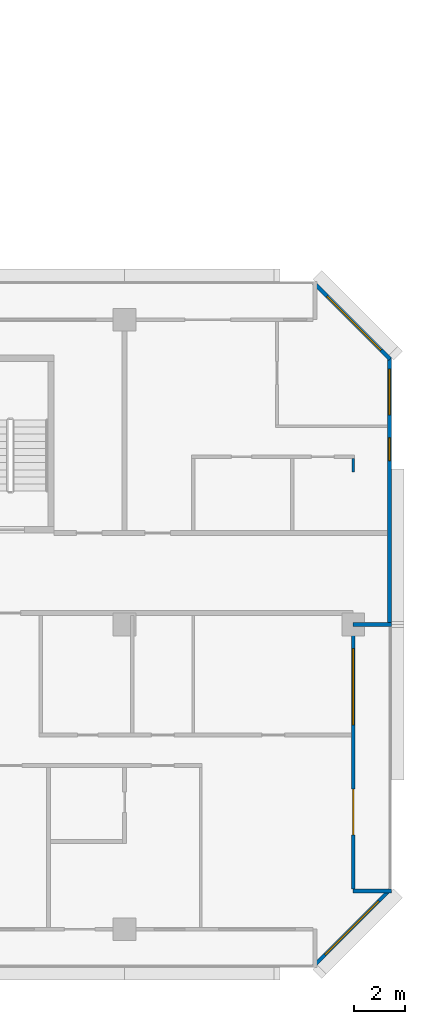
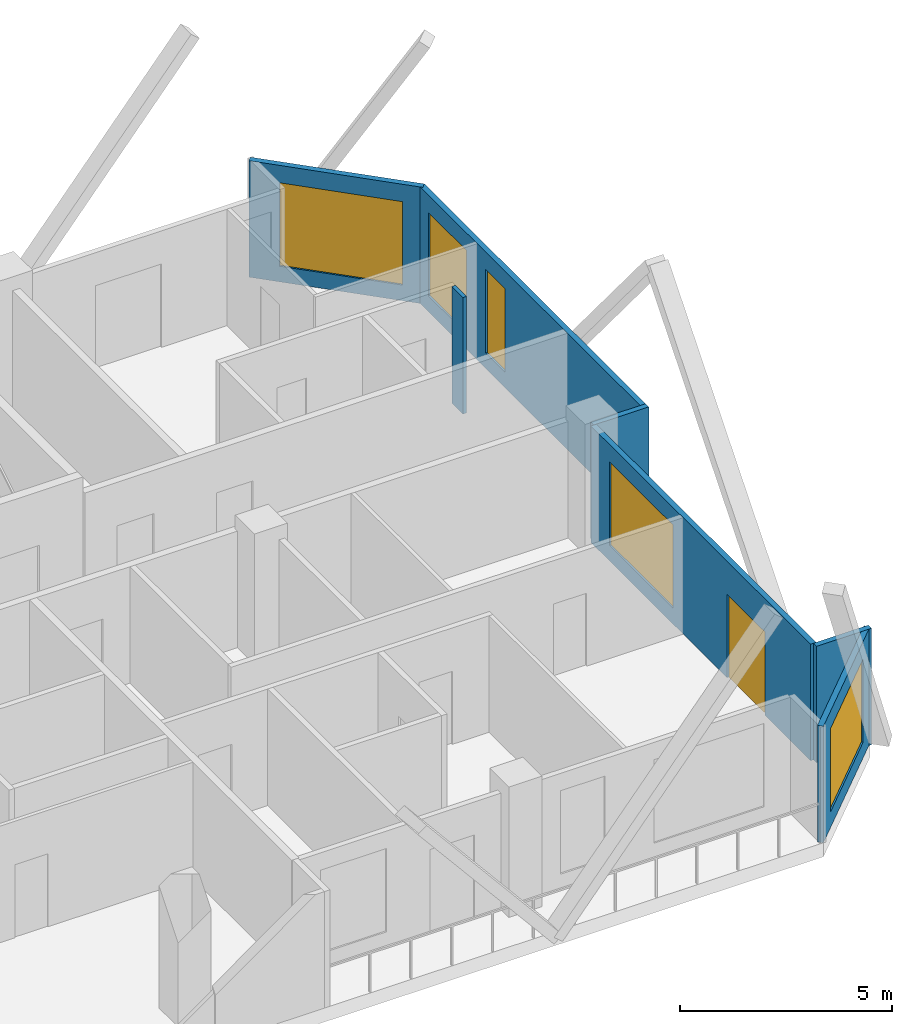
# One storey, part 12 of 15: 7 walls, 5 windows, 1 door, 6 openings.
"""IFC4 building model written with IfcOpenShell, lengths in metres."""

from ifc_helpers import new_model, si_unit, direction, frame, frame_2d, origin, place, context, subcontext, project, spatial, rectangle, extrude, material, layer, layer_set, type_object, element, fill, save


model = new_model("IFC4")

# Units and contexts
model_context = context("Model", 3, precision=1e-05, world=origin(), true_north=direction((0.0, 1.0)))
body_context = subcontext(model_context, "Body", "Model", "MODEL_VIEW")
ifc_project = project(units=[si_unit("LENGTHUNIT", "METRE"), si_unit("AREAUNIT", "SQUARE_METRE"), si_unit("VOLUMEUNIT", "CUBIC_METRE"), si_unit("PLANEANGLEUNIT", "RADIAN"), si_unit("MASSUNIT", "GRAM", prefix="KILO")], contexts=[model_context])

# Site, building, storey
site_placement = place(None, origin())
site = spatial("IfcSite", under=ifc_project, at=site_placement, CompositionType="ELEMENT")
building_placement = place(site_placement, origin())
building = spatial("IfcBuilding", under=site, at=building_placement, Name="Chenar Terraces", CompositionType="ELEMENT")
storey_placement = place(building_placement, frame((0.0, 0.0, 172.39990234375)))
storey = spatial("IfcBuildingStorey", under=building, at=storey_placement, Name="L39", CompositionType="ELEMENT", Elevation=172.39990234375)

# Wall, openings, windows
ifc_material_1 = material(Name="Aluminium framed glazing", Category="aluminium")
ifc_layer_1 = layer(ifc_material_1, 0.14990234375)
ifc_layer_set_1 = layer_set([ifc_layer_1], Name="Aluminium framed glazing")
wall_type_1 = type_object("IfcWallType", Name="Glazed flush facade wall 150", PredefinedType="SOLIDWALL", material=ifc_layer_set_1)
wall_1_placement = place(storey_placement, frame((64.425048828125, 12.074951171875, 0.0), z_axis=(0.0, 0.0, 1.0), x_axis=(0.0, 1.0, 0.0)))
wall_1 = element("IfcWall", 1, at=wall_1_placement, inside=storey, type_object=wall_type_1, Name="Glazed flush facade wall", PredefinedType="SOLIDWALL", context=body_context, shape_type="SweptSolid", body=[
    extrude(rectangle(XDim=10.425048828125, YDim=0.14990234375, at=frame_2d((5.21240234375, 0.0))), origin(), (0.0, 0.0, 1.0), 3.35009765625),
])
opening_1_placement = place(wall_1_placement, frame((6.375, 0.0, 0.449951171875)))
opening_1 = element("IfcOpeningElement", 2, at=opening_1_placement, cuts=wall_1, Name="Opening W90x240", PredefinedType="OPENING", context=body_context, shape_type="SweptSolid", body=[
    extrude(rectangle(XDim=0.89990234375, YDim=2.39990234375, at=frame_2d((0.449951171875, 1.199951171875))), frame((0.0, 0.0849609375, 0.0), z_axis=(0.0, -1.0, 0.0), x_axis=(1.0, 0.0, 0.0)), (0.0, 0.0, 1.0), 0.169921875),
])
opening_2_placement = place(wall_1_placement, frame((8.175048828125, 0.0, 0.449951171875)))
opening_2 = element("IfcOpeningElement", 3, at=opening_2_placement, cuts=wall_1, Name="Opening W180x240", PredefinedType="OPENING", context=body_context, shape_type="SweptSolid", body=[
    extrude(rectangle(XDim=1.800048828125, YDim=2.39990234375, at=frame_2d((0.89990234375, 1.199951171875))), frame((0.0, 0.0849609375, 0.0), z_axis=(0.0, -1.0, 0.0), x_axis=(1.0, 0.0, 0.0)), (0.0, 0.0, 1.0), 0.169921875),
])
ifc_material_2 = material(Name="Low emissivity double glazing, aluminium frame", Category="aluminium")
window_type_1 = type_object("IfcWindowType", Name="Fixed light 1800 x 2400", PartitioningType="SINGLE_PANEL", PredefinedType="WINDOW", material=ifc_material_2)
window_1_placement = place(opening_2_placement, origin())
window_1 = element("IfcWindow", 4, at=window_1_placement, inside=storey, type_object=window_type_1, Name="Window", OverallHeight=2.39990234375, OverallWidth=1.800048828125, PartitioningType="SINGLE_PANEL", PredefinedType="WINDOW", context=body_context, shape_type="SweptSolid", body=[
    extrude(rectangle(XDim=1.800048828125, YDim=2.39990234375, at=frame_2d((0.89990234375, 1.199951171875))), frame((0.0, 0.030029296875, 0.0), z_axis=(0.0, -1.0, 0.0), x_axis=(1.0, 0.0, 0.0)), (0.0, 0.0, 1.0), 0.06005859375),
])
fill(opening_2, window_1)
ifc_material_3 = material(Name="Low emissivity double glazing, aluminium frame", Category="aluminium")
window_type_2 = type_object("IfcWindowType", Name="Fixed light 900 x 2400", PartitioningType="SINGLE_PANEL", PredefinedType="WINDOW", material=ifc_material_3)
window_2_placement = place(opening_1_placement, origin())
window_2 = element("IfcWindow", 5, at=window_2_placement, inside=storey, type_object=window_type_2, Name="Window", OverallHeight=2.39990234375, OverallWidth=0.89990234375, PartitioningType="SINGLE_PANEL", PredefinedType="WINDOW", context=body_context, shape_type="SweptSolid", body=[
    extrude(rectangle(XDim=0.89990234375, YDim=2.39990234375, at=frame_2d((0.449951171875, 1.199951171875))), frame((0.0, 0.030029296875, 0.0), z_axis=(0.0, -1.0, 0.0), x_axis=(1.0, 0.0, 0.0)), (0.0, 0.0, 1.0), 0.06005859375),
])
fill(opening_1, window_2)

# Wall, openings, window, door
ifc_material_4 = material(Name="Aluminium framed glazing", Category="aluminium")
ifc_layer_2 = layer(ifc_material_4, 0.14990234375)
ifc_layer_set_2 = layer_set([ifc_layer_2], Name="Aluminium framed glazing")
wall_type_2 = type_object("IfcWallType", Name="Glazed loggia back wall 150", PredefinedType="SOLIDWALL", material=ifc_layer_set_2)
wall_2_placement = place(storey_placement, frame((63.0, 1.574951171875, 0.0), z_axis=(0.0, 0.0, 1.0), x_axis=(0.0, 1.0, 0.0)))
wall_2 = element("IfcWall", 6, at=wall_2_placement, inside=storey, type_object=wall_type_2, Name="Glazed loggia back wall", PredefinedType="SOLIDWALL", context=body_context, shape_type="SweptSolid", body=[
    extrude(rectangle(XDim=10.35009765625, YDim=0.14990234375, at=frame_2d((5.175048828125, 0.0))), origin(), (0.0, 0.0, 1.0), 3.35009765625),
])
opening_3_placement = place(wall_2_placement, frame((2.137451171875, 0.0, 0.0)))
opening_3 = element("IfcOpeningElement", 7, at=opening_3_placement, cuts=wall_2, Name="Opening DL39-G8", PredefinedType="OPENING", context=body_context, shape_type="SweptSolid", body=[
    extrude(rectangle(XDim=1.800048828125, YDim=2.39990234375, at=frame_2d((0.89990234375, 1.199951171875))), frame((0.0, 0.0849609375, 0.0), z_axis=(0.0, -1.0, 0.0), x_axis=(1.0, 0.0, 0.0)), (0.0, 0.0, 1.0), 0.169921875),
])
opening_4_placement = place(wall_2_placement, frame((6.47509765625, 0.0, 0.449951171875)))
opening_4 = element("IfcOpeningElement", 8, at=opening_4_placement, cuts=wall_2, Name="Opening W300x240", PredefinedType="OPENING", context=body_context, shape_type="SweptSolid", body=[
    extrude(rectangle(XDim=3.0, YDim=2.39990234375, at=frame_2d((1.5, 1.199951171875))), frame((0.0, 0.0849609375, 0.0), z_axis=(0.0, -1.0, 0.0), x_axis=(1.0, 0.0, 0.0)), (0.0, 0.0, 1.0), 0.169921875),
])
ifc_material_5 = material(Name="Low emissivity double glazing, aluminium frame", Category="aluminium")
window_type_3 = type_object("IfcWindowType", Name="Fixed light 3000 x 2400", PartitioningType="SINGLE_PANEL", PredefinedType="WINDOW", material=ifc_material_5)
window_3_placement = place(opening_4_placement, origin())
window_3 = element("IfcWindow", 9, at=window_3_placement, inside=storey, type_object=window_type_3, Name="Window", OverallHeight=2.39990234375, OverallWidth=3.0, PartitioningType="SINGLE_PANEL", PredefinedType="WINDOW", context=body_context, shape_type="SweptSolid", body=[
    extrude(rectangle(XDim=3.0, YDim=2.39990234375, at=frame_2d((1.5, 1.199951171875))), frame((0.0, 0.030029296875, 0.0), z_axis=(0.0, -1.0, 0.0), x_axis=(1.0, 0.0, 0.0)), (0.0, 0.0, 1.0), 0.06005859375),
])
fill(opening_4, window_3)
ifc_material_6 = material(Name="Low emissivity double glazing, aluminium frame", Category="aluminium")
door_type = type_object("IfcDoorType", Name="Loggia glazed double door 1800 x 2400", OperationType="DOUBLE_DOOR_SINGLE_SWING", PredefinedType="DOOR", material=ifc_material_6)
door_placement = place(opening_3_placement, frame((1.800048828125, 0.0, 0.0), z_axis=(0.0, 0.0, 1.0), x_axis=(-1.0, 0.0, 0.0)))
door = element("IfcDoor", 10, at=door_placement, inside=storey, type_object=door_type, Name="Loggia glazed door", OperationType="DOUBLE_DOOR_SINGLE_SWING", OverallHeight=2.39990234375, OverallWidth=1.800048828125, PredefinedType="DOOR", context=body_context, shape_type="SweptSolid", body=[
    extrude(rectangle(XDim=1.800048828125, YDim=2.39990234375, at=frame_2d((0.89990234375, 1.199951171875))), frame((0.0, 0.02490234375, 0.0), z_axis=(0.0, -1.0, 0.0), x_axis=(1.0, 0.0, 0.0)), (0.0, 0.0, 1.0), 0.050048828125),
])
fill(opening_3, door)

# Walls
ifc_material_7 = material(Name="Gypsum board on steel studs", Category="steel")
ifc_layer_3 = layer(ifc_material_7, 0.10009765625)
ifc_layer_set_3 = layer_set([ifc_layer_3], Name="Gypsum board on steel studs")
wall_type_3 = type_object("IfcWallType", Name="Gypsum partition 100", PredefinedType="PARTITIONING", material=ifc_layer_set_3)
wall_3_placement = place(storey_placement, frame((63.0, 18.0, 0.0), z_axis=(0.0, 0.0, 1.0), x_axis=(0.0, 1.0, 0.0)))
element("IfcWall", 11, at=wall_3_placement, inside=storey, type_object=wall_type_3, Name="Partition L39-088", PredefinedType="PARTITIONING", context=body_context, shape_type="SweptSolid", body=[
    extrude(rectangle(XDim=0.52490234375, YDim=0.10009765625, at=frame_2d((0.262451171875, 0.0))), origin(), (0.0, 0.0, 1.0), 3.35009765625),
])
ifc_material_8 = material(Name="Terracotta cladding on insulated backing", Category="masonry")
ifc_layer_4 = layer(ifc_material_8, 0.14990234375)
ifc_layer_set_4 = layer_set([ifc_layer_4], Name="Terracotta cladding on insulated backing")
wall_type_4 = type_object("IfcWallType", Name="Loggia return wall 150", PredefinedType="SOLIDWALL", material=ifc_layer_set_4)
for number, where, z_axis, x_axis, name in (
    (12, (64.5, 1.5, 0.0), (0.0, 0.0, 1.0), (-1.0, 0.0, 0.0), "Loggia return wall"),
    (13, (64.5, 12.0, 0.0), (0.0, 0.0, 1.0), (-1.0, 0.0, 0.0), "Loggia return wall"),
):
    element("IfcWall", number, at=place(storey_placement, frame(where, z_axis=z_axis, x_axis=x_axis)), inside=storey, type_object=wall_type_4, Name=name, PredefinedType="SOLIDWALL", context=body_context, shape_type="SweptSolid", body=[
        extrude(rectangle(XDim=1.5, YDim=0.14990234375, at=frame_2d((0.75, 0.0))), origin(), (0.0, 0.0, 1.0), 3.35009765625),
    ])

# Wall, opening, window
ifc_material_9 = material(Name="Terracotta cladding on insulated backing", Category="masonry")
ifc_layer_5 = layer(ifc_material_9, 0.14990234375)
ifc_layer_set_5 = layer_set([ifc_layer_5], Name="Terracotta cladding on insulated backing")
wall_type_5 = type_object("IfcWallType", Name="Terracotta rainscreen wall 150", PredefinedType="SOLIDWALL", material=ifc_layer_set_5)
wall_4_placement = place(storey_placement, frame((61.447021484375, -1.447021484375, 0.0), z_axis=(0.0, 0.0, 1.0), x_axis=(0.707106781187, 0.707106781187, 0.0)))
wall_4 = element("IfcWall", 14, at=wall_4_placement, inside=storey, type_object=wall_type_5, Name="Terracotta rainscreen wall", PredefinedType="SOLIDWALL", context=body_context, shape_type="SweptSolid", body=[
    extrude(rectangle(XDim=4.24267578125, YDim=0.14990234375, at=frame_2d((2.121337890625, 0.0))), origin(), (0.0, 0.0, 1.0), 3.35009765625),
])
opening_5_placement = place(wall_4_placement, frame((0.621337890625, 0.0, 0.449951171875)))
opening_5 = element("IfcOpeningElement", 15, at=opening_5_placement, cuts=wall_4, Name="Opening W300x240", PredefinedType="OPENING", context=body_context, shape_type="SweptSolid", body=[
    extrude(rectangle(XDim=3.0, YDim=2.39990234375, at=frame_2d((1.5, 1.199951171875))), frame((0.0, 0.0849609375, 0.0), z_axis=(0.0, -1.0, 0.0), x_axis=(1.0, 0.0, 0.0)), (0.0, 0.0, 1.0), 0.169921875),
])
window_4_placement = place(opening_5_placement, origin())
window_4 = element("IfcWindow", 16, at=window_4_placement, inside=storey, type_object=window_type_3, Name="Window", OverallHeight=2.39990234375, OverallWidth=3.0, PartitioningType="SINGLE_PANEL", PredefinedType="WINDOW", context=body_context, shape_type="SweptSolid", body=[
    extrude(rectangle(XDim=3.0, YDim=2.39990234375, at=frame_2d((1.5, 1.199951171875))), frame((0.0, 0.030029296875, 0.0), z_axis=(0.0, -1.0, 0.0), x_axis=(1.0, 0.0, 0.0)), (0.0, 0.0, 1.0), 0.06005859375),
])
fill(opening_5, window_4)

wall_5_placement = place(storey_placement, frame((64.447021484375, 22.447021484375, 0.0), z_axis=(0.0, 0.0, 1.0), x_axis=(-0.707106781187, 0.707106781187, 0.0)))
wall_5 = element("IfcWall", 17, at=wall_5_placement, inside=storey, type_object=wall_type_5, Name="Terracotta rainscreen wall", PredefinedType="SOLIDWALL", context=body_context, shape_type="SweptSolid", body=[
    extrude(rectangle(XDim=4.24267578125, YDim=0.14990234375, at=frame_2d((2.121337890625, 0.0))), origin(), (0.0, 0.0, 1.0), 3.35009765625),
])
opening_6_placement = place(wall_5_placement, frame((0.498046875, 0.0, 0.449951171875)))
opening_6 = element("IfcOpeningElement", 18, at=opening_6_placement, cuts=wall_5, Name="Opening W300x240", PredefinedType="OPENING", context=body_context, shape_type="SweptSolid", body=[
    extrude(rectangle(XDim=3.0, YDim=2.39990234375, at=frame_2d((1.5, 1.199951171875))), frame((0.0, 0.0849609375, 0.0), z_axis=(0.0, -1.0, 0.0), x_axis=(1.0, 0.0, 0.0)), (0.0, 0.0, 1.0), 0.169921875),
])
window_5_placement = place(opening_6_placement, origin())
window_5 = element("IfcWindow", 19, at=window_5_placement, inside=storey, type_object=window_type_3, Name="Window", OverallHeight=2.39990234375, OverallWidth=3.0, PartitioningType="SINGLE_PANEL", PredefinedType="WINDOW", context=body_context, shape_type="SweptSolid", body=[
    extrude(rectangle(XDim=3.0, YDim=2.39990234375, at=frame_2d((1.5, 1.199951171875))), frame((0.0, 0.030029296875, 0.0), z_axis=(0.0, -1.0, 0.0), x_axis=(1.0, 0.0, 0.0)), (0.0, 0.0, 1.0), 0.06005859375),
])
fill(opening_6, window_5)

save(model, "model.ifc")
